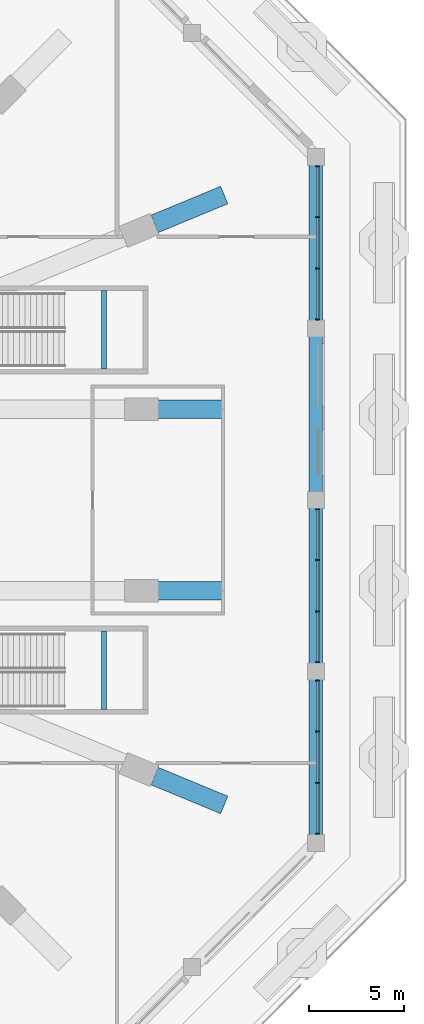
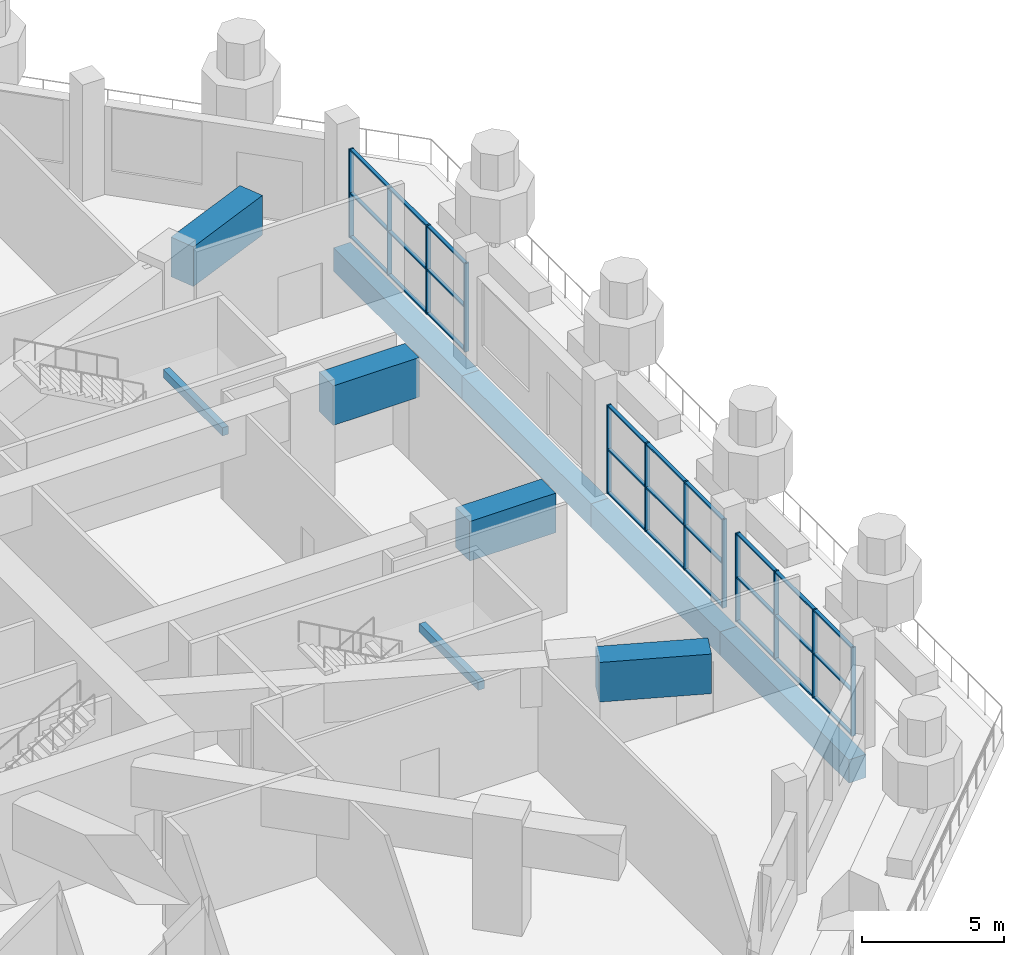
# One storey, part 8 of 25: 39 members, 10 beams, 3 elements without a shape of their own.
"""IFC4 building model written with IfcOpenShell, lengths in metres."""

from ifc_helpers import new_model, si_unit, direction, frame, origin, origin_2d, place, context, subcontext, project, spatial, rectangle, extrude, material, material_profile, profile_set, type_object, element, aggregate, save


model = new_model("IFC4")

# Units and contexts
model_context = context("Model", 3, precision=1e-05, world=origin(), true_north=direction((0.0, 1.0)))
body_context = subcontext(model_context, "Body", "Model", "MODEL_VIEW")
ifc_project = project(units=[si_unit("LENGTHUNIT", "METRE"), si_unit("AREAUNIT", "SQUARE_METRE"), si_unit("VOLUMEUNIT", "CUBIC_METRE"), si_unit("PLANEANGLEUNIT", "RADIAN"), si_unit("MASSUNIT", "GRAM", prefix="KILO")], contexts=[model_context])

# Site, building, storey
site_placement = place(None, origin())
site = spatial("IfcSite", under=ifc_project, at=site_placement, CompositionType="ELEMENT")
building_placement = place(site_placement, origin())
building = spatial("IfcBuilding", under=site, at=building_placement, Name="Msitu Wima Residences", CompositionType="ELEMENT")
storey_placement = place(building_placement, frame((0.0, 0.0, 11.0)))
storey = spatial("IfcBuildingStorey", under=building, at=storey_placement, Name="L02", CompositionType="ELEMENT", Elevation=11.0)

# Beams
ifc_material_1 = material(Name="Concrete C40/50", Category="concrete")
ifc_material_profile_1 = material_profile(ifc_material_1, rectangle(XDim=0.25, YDim=0.35009765625, at=origin_2d()), Name="RC 250x350")
ifc_profile_set_1 = profile_set([ifc_material_profile_1], Name="Concrete C40/50")
beam_type_1 = type_object("IfcBeamType", Name="Landing beam RC 250x350", PredefinedType="BEAM", material=ifc_profile_set_1)
for number, where, z_axis, x_axis, name in (
    (1, (26.60009765625, 6.925048828125, 2.125), (0.0, 1.0, 0.0), (-1.0, 0.0, 0.0), "Podium exit stair 1 landing beam"),
    (2, (26.60009765625, -6.925048828125, 2.125), (0.0, -1.0, 0.0), (1.0, 0.0, 0.0), "Podium exit stair 2 landing beam"),
):
    element("IfcBeam", number, at=place(storey_placement, frame(where, z_axis=z_axis, x_axis=x_axis)), inside=storey, type_object=beam_type_1, Name=name, PredefinedType="BEAM", context=body_context, shape_type="SweptSolid", body=[
        extrude(rectangle(XDim=0.25, YDim=0.35009765625, at=origin_2d()), origin(), (0.0, 0.0, 1.0), 4.14990234375),
    ])

# Curtain wall, members
ifc_material_2 = material(Name="Anodised aluminium, bronze finish, clear low-emissivity double glazing", Category="aluminium")
curtain_wall_type = type_object("IfcCurtainWallType", Name="Curtain wall CW6 podium winter garden", PredefinedType="NOTDEFINED", material=ifc_material_2)
curtain_wall_1_placement = place(storey_placement, origin())
curtain_wall_1 = element("IfcCurtainWall", 3, at=curtain_wall_1_placement, inside=storey, type_object=curtain_wall_type, Name="Curtain wall CW6 L02 E0", PredefinedType="NOTDEFINED")
ifc_material_3 = material(Name="Anodised aluminium, bronze finish", Category="aluminium")
ifc_material_profile_2 = material_profile(ifc_material_3, rectangle(XDim=0.179931640625, YDim=0.06494140625, at=origin_2d()), Name="Mullion 65x180")
ifc_profile_set_2 = profile_set([ifc_material_profile_2], Name="Anodised aluminium, bronze finish")
member_type_1 = type_object("IfcMemberType", Name="Mullion CW6 65x180", PredefinedType="MULLION", material=ifc_profile_set_2)
member_1_placement = place(storey_placement, frame((37.89990234375, -17.6455078125, 0.0), z_axis=(0.0, 0.0, 1.0), x_axis=(-1.0, 0.0, 0.0)))
member_1 = element("IfcMember", 4, at=member_1_placement, type_object=member_type_1, Name="CW6 mullion 1", PredefinedType="MULLION", context=body_context, shape_type="SweptSolid", body=[
    extrude(rectangle(XDim=0.179931640625, YDim=0.06494140625, at=origin_2d()), origin(), (0.0, 0.0, 1.0), 3.800048828125),
])
member_2_placement = place(storey_placement, frame((37.89990234375, -14.95654296875, 0.0), z_axis=(0.0, 0.0, 1.0), x_axis=(-1.0, 0.0, 0.0)))
member_2 = element("IfcMember", 5, at=member_2_placement, type_object=member_type_1, Name="CW6 mullion 2", PredefinedType="MULLION", context=body_context, shape_type="SweptSolid", body=[
    extrude(rectangle(XDim=0.179931640625, YDim=0.06494140625, at=origin_2d()), origin(), (0.0, 0.0, 1.0), 3.800048828125),
])
member_3_placement = place(storey_placement, frame((37.89990234375, -12.2353515625, 0.0), z_axis=(0.0, 0.0, 1.0), x_axis=(-1.0, 0.0, 0.0)))
member_3 = element("IfcMember", 6, at=member_3_placement, type_object=member_type_1, Name="CW6 mullion 3", PredefinedType="MULLION", context=body_context, shape_type="SweptSolid", body=[
    extrude(rectangle(XDim=0.179931640625, YDim=0.06494140625, at=origin_2d()), origin(), (0.0, 0.0, 1.0), 3.800048828125),
])
member_4_placement = place(storey_placement, frame((37.89990234375, -9.54638671875, 0.0), z_axis=(0.0, 0.0, 1.0), x_axis=(-1.0, 0.0, 0.0)))
member_4 = element("IfcMember", 7, at=member_4_placement, type_object=member_type_1, Name="CW6 mullion 4", PredefinedType="MULLION", context=body_context, shape_type="SweptSolid", body=[
    extrude(rectangle(XDim=0.179931640625, YDim=0.06494140625, at=origin_2d()), origin(), (0.0, 0.0, 1.0), 3.800048828125),
])

curtain_wall_2_placement = place(storey_placement, origin())
curtain_wall_2 = element("IfcCurtainWall", 8, at=curtain_wall_2_placement, inside=storey, type_object=curtain_wall_type, Name="Curtain wall CW6 L02 E1", PredefinedType="NOTDEFINED")
member_5_placement = place(storey_placement, frame((37.89990234375, -8.58154296875, 0.0), z_axis=(0.0, 0.0, 1.0), x_axis=(-1.0, 0.0, 0.0)))
member_5 = element("IfcMember", 9, at=member_5_placement, type_object=member_type_1, Name="CW6 mullion 1", PredefinedType="MULLION", context=body_context, shape_type="SweptSolid", body=[
    extrude(rectangle(XDim=0.179931640625, YDim=0.06494140625, at=origin_2d()), origin(), (0.0, 0.0, 1.0), 3.800048828125),
])
member_6_placement = place(storey_placement, frame((37.89990234375, -5.892578125, 0.0), z_axis=(0.0, 0.0, 1.0), x_axis=(-1.0, 0.0, 0.0)))
member_6 = element("IfcMember", 10, at=member_6_placement, type_object=member_type_1, Name="CW6 mullion 2", PredefinedType="MULLION", context=body_context, shape_type="SweptSolid", body=[
    extrude(rectangle(XDim=0.179931640625, YDim=0.06494140625, at=origin_2d()), origin(), (0.0, 0.0, 1.0), 3.800048828125),
])
member_7_placement = place(storey_placement, frame((37.89990234375, -3.17138671875, 0.0), z_axis=(0.0, 0.0, 1.0), x_axis=(-1.0, 0.0, 0.0)))
member_7 = element("IfcMember", 11, at=member_7_placement, type_object=member_type_1, Name="CW6 mullion 3", PredefinedType="MULLION", context=body_context, shape_type="SweptSolid", body=[
    extrude(rectangle(XDim=0.179931640625, YDim=0.06494140625, at=origin_2d()), origin(), (0.0, 0.0, 1.0), 3.800048828125),
])
member_8_placement = place(storey_placement, frame((37.89990234375, -0.482421875, 0.0), z_axis=(0.0, 0.0, 1.0), x_axis=(-1.0, 0.0, 0.0)))
member_8 = element("IfcMember", 12, at=member_8_placement, type_object=member_type_1, Name="CW6 mullion 4", PredefinedType="MULLION", context=body_context, shape_type="SweptSolid", body=[
    extrude(rectangle(XDim=0.179931640625, YDim=0.06494140625, at=origin_2d()), origin(), (0.0, 0.0, 1.0), 3.800048828125),
])

curtain_wall_3_placement = place(storey_placement, origin())
curtain_wall_3 = element("IfcCurtainWall", 13, at=curtain_wall_3_placement, inside=storey, type_object=curtain_wall_type, Name="Curtain wall CW6 L02 E3", PredefinedType="NOTDEFINED")
member_9_placement = place(storey_placement, frame((37.89990234375, 9.54638671875, 0.0), z_axis=(0.0, 0.0, 1.0), x_axis=(-1.0, 0.0, 0.0)))
member_9 = element("IfcMember", 14, at=member_9_placement, type_object=member_type_1, Name="CW6 mullion 1", PredefinedType="MULLION", context=body_context, shape_type="SweptSolid", body=[
    extrude(rectangle(XDim=0.179931640625, YDim=0.06494140625, at=origin_2d()), origin(), (0.0, 0.0, 1.0), 3.800048828125),
])
member_10_placement = place(storey_placement, frame((37.89990234375, 12.2353515625, 0.0), z_axis=(0.0, 0.0, 1.0), x_axis=(-1.0, 0.0, 0.0)))
member_10 = element("IfcMember", 15, at=member_10_placement, type_object=member_type_1, Name="CW6 mullion 2", PredefinedType="MULLION", context=body_context, shape_type="SweptSolid", body=[
    extrude(rectangle(XDim=0.179931640625, YDim=0.06494140625, at=origin_2d()), origin(), (0.0, 0.0, 1.0), 3.800048828125),
])
member_11_placement = place(storey_placement, frame((37.89990234375, 14.95654296875, 0.0), z_axis=(0.0, 0.0, 1.0), x_axis=(-1.0, 0.0, 0.0)))
member_11 = element("IfcMember", 16, at=member_11_placement, type_object=member_type_1, Name="CW6 mullion 3", PredefinedType="MULLION", context=body_context, shape_type="SweptSolid", body=[
    extrude(rectangle(XDim=0.179931640625, YDim=0.06494140625, at=origin_2d()), origin(), (0.0, 0.0, 1.0), 3.800048828125),
])
member_12_placement = place(storey_placement, frame((37.89990234375, 17.6455078125, 0.0), z_axis=(0.0, 0.0, 1.0), x_axis=(-1.0, 0.0, 0.0)))
member_12 = element("IfcMember", 17, at=member_12_placement, type_object=member_type_1, Name="CW6 mullion 4", PredefinedType="MULLION", context=body_context, shape_type="SweptSolid", body=[
    extrude(rectangle(XDim=0.179931640625, YDim=0.06494140625, at=origin_2d()), origin(), (0.0, 0.0, 1.0), 3.800048828125),
])

# Beams
ifc_material_4 = material(Name="Concrete C60/75", Category="concrete")
ifc_material_profile_3 = material_profile(ifc_material_4, rectangle(XDim=1.0, YDim=1.699951171875, at=origin_2d()), Name="RC 1000x1700")
ifc_profile_set_3 = profile_set([ifc_material_profile_3], Name="Concrete C60/75")
beam_type_2 = type_object("IfcBeamType", Name="Podium cantilever girder tip RC 1000x1700 Concrete C60/75", PredefinedType="BEAM", material=ifc_profile_set_3)
beam_1_placement = place(storey_placement, frame((29.274658203125, -14.5966796875, 3.800048828125), z_axis=(0.923893047528, -0.382650802599, 0.0), x_axis=(0.382650802599, 0.923893047528, 0.0)))
element("IfcBeam", 18, at=beam_1_placement, inside=storey, type_object=beam_type_2, Name="Podium cantilever girder L03 C-E0 cantilever", PredefinedType="BEAM", context=body_context, shape_type="SweptSolid", body=[
    extrude(rectangle(XDim=1.0, YDim=1.699951171875, at=origin_2d()), origin(), (0.0, 0.0, 1.0), 3.990234375),
])
for number, where, z_axis, x_axis, name in (
    (19, (29.462890625, -4.800048828125, 3.800048828125), (1.0, 0.0, 0.0), (0.0, 1.0, 0.0), "Podium cantilever girder L03 C-E1 cantilever"),
    (20, (29.462890625, 4.800048828125, 3.800048828125), (1.0, 0.0, 0.0), (0.0, 1.0, 0.0), "Podium cantilever girder L03 C-E2 cantilever"),
):
    element("IfcBeam", number, at=place(storey_placement, frame(where, z_axis=z_axis, x_axis=x_axis)), inside=storey, type_object=beam_type_2, Name=name, PredefinedType="BEAM", context=body_context, shape_type="SweptSolid", body=[
        extrude(rectangle(XDim=1.0, YDim=1.699951171875, at=origin_2d()), origin(), (0.0, 0.0, 1.0), 3.4990234375),
    ])
beam_2_placement = place(storey_placement, frame((29.274658203125, 14.5966796875, 3.800048828125), z_axis=(0.923893047528, 0.382650802599, 0.0), x_axis=(-0.382650802599, 0.923893047528, 0.0)))
element("IfcBeam", 21, at=beam_2_placement, inside=storey, type_object=beam_type_2, Name="Podium cantilever girder L03 C-NE0 cantilever", PredefinedType="BEAM", context=body_context, shape_type="SweptSolid", body=[
    extrude(rectangle(XDim=1.0, YDim=1.699951171875, at=origin_2d()), origin(), (0.0, 0.0, 1.0), 3.990234375),
])
ifc_material_profile_4 = material_profile(ifc_material_4, rectangle(XDim=0.699951171875, YDim=1.0, at=origin_2d()), Name="RC 700x1000")
ifc_profile_set_4 = profile_set([ifc_material_profile_4], Name="Concrete C60/75")
beam_type_3 = type_object("IfcBeamType", Name="Terrace beam RC 700x1000 Concrete C60/75", PredefinedType="BEAM", material=ifc_profile_set_4)
for number, where, z_axis, x_axis, name in (
    (22, (37.800048828125, -18.1279296875, -1.10009765625), (0.0, 1.0, 0.0), (-1.0, 0.0, 0.0), "Terrace upstand-line beam L02 C-E0"),
    (23, (37.800048828125, -9.06396484375, -1.10009765625), (0.0, 1.0, 0.0), (-1.0, 0.0, 0.0), "Terrace upstand-line beam L02 C-E1"),
    (24, (37.800048828125, 0.0, -1.10009765625), (0.0, 1.0, 0.0), (-1.0, 0.0, 0.0), "Terrace upstand-line beam L02 C-E2"),
    (25, (37.800048828125, 9.06396484375, -1.10009765625), (0.0, 1.0, 0.0), (-1.0, 0.0, 0.0), "Terrace upstand-line beam L02 C-E3"),
):
    element("IfcBeam", number, at=place(storey_placement, frame(where, z_axis=z_axis, x_axis=x_axis)), inside=storey, type_object=beam_type_3, Name=name, PredefinedType="BEAM", context=body_context, shape_type="SweptSolid", body=[
        extrude(rectangle(XDim=0.699951171875, YDim=1.0, at=origin_2d()), origin(), (0.0, 0.0, 1.0), 9.06396484375),
    ])

# Member
ifc_material_profile_5 = material_profile(ifc_material_3, rectangle(XDim=0.139892578125, YDim=0.06494140625, at=origin_2d()), Name="Transom 65x140")
ifc_profile_set_5 = profile_set([ifc_material_profile_5], Name="Anodised aluminium, bronze finish")
member_type_2 = type_object("IfcMemberType", Name="Transom CW6 65x140", PredefinedType="USERDEFINED", material=ifc_profile_set_5)
member_13_placement = place(storey_placement, frame((37.89990234375, -17.613037109375, 0.032470703125), z_axis=(0.0, 1.0, 0.0), x_axis=(-1.0, 0.0, 0.0)))
member_13 = element("IfcMember", 26, at=member_13_placement, type_object=member_type_2, Name="CW6 transom 1.1", ObjectType="TRANSOM", PredefinedType="USERDEFINED", context=body_context, shape_type="SweptSolid", body=[
    extrude(rectangle(XDim=0.139892578125, YDim=0.06494140625, at=origin_2d()), origin(), (0.0, 0.0, 1.0), 2.6240234375),
])

member_14_placement = place(storey_placement, frame((37.89990234375, -17.613037109375, 1.89990234375), z_axis=(0.0, 1.0, 0.0), x_axis=(-1.0, 0.0, 0.0)))
member_14 = element("IfcMember", 27, at=member_14_placement, type_object=member_type_2, Name="CW6 transom 1.2", ObjectType="TRANSOM", PredefinedType="USERDEFINED", context=body_context, shape_type="SweptSolid", body=[
    extrude(rectangle(XDim=0.139892578125, YDim=0.06494140625, at=origin_2d()), origin(), (0.0, 0.0, 1.0), 2.6240234375),
])

member_15_placement = place(storey_placement, frame((37.89990234375, -17.613037109375, 3.767578125), z_axis=(0.0, 1.0, 0.0), x_axis=(-1.0, 0.0, 0.0)))
member_15 = element("IfcMember", 28, at=member_15_placement, type_object=member_type_2, Name="CW6 transom 1.3", ObjectType="TRANSOM", PredefinedType="USERDEFINED", context=body_context, shape_type="SweptSolid", body=[
    extrude(rectangle(XDim=0.139892578125, YDim=0.06494140625, at=origin_2d()), origin(), (0.0, 0.0, 1.0), 2.6240234375),
])

member_16_placement = place(storey_placement, frame((37.89990234375, -14.924072265625, 0.032470703125), z_axis=(0.0, 1.0, 0.0), x_axis=(-1.0, 0.0, 0.0)))
member_16 = element("IfcMember", 29, at=member_16_placement, type_object=member_type_2, Name="CW6 transom 2.1", ObjectType="TRANSOM", PredefinedType="USERDEFINED", context=body_context, shape_type="SweptSolid", body=[
    extrude(rectangle(XDim=0.139892578125, YDim=0.06494140625, at=origin_2d()), origin(), (0.0, 0.0, 1.0), 2.65625),
])

member_17_placement = place(storey_placement, frame((37.89990234375, -14.924072265625, 1.89990234375), z_axis=(0.0, 1.0, 0.0), x_axis=(-1.0, 0.0, 0.0)))
member_17 = element("IfcMember", 30, at=member_17_placement, type_object=member_type_2, Name="CW6 transom 2.2", ObjectType="TRANSOM", PredefinedType="USERDEFINED", context=body_context, shape_type="SweptSolid", body=[
    extrude(rectangle(XDim=0.139892578125, YDim=0.06494140625, at=origin_2d()), origin(), (0.0, 0.0, 1.0), 2.65625),
])

member_18_placement = place(storey_placement, frame((37.89990234375, -14.924072265625, 3.767578125), z_axis=(0.0, 1.0, 0.0), x_axis=(-1.0, 0.0, 0.0)))
member_18 = element("IfcMember", 31, at=member_18_placement, type_object=member_type_2, Name="CW6 transom 2.3", ObjectType="TRANSOM", PredefinedType="USERDEFINED", context=body_context, shape_type="SweptSolid", body=[
    extrude(rectangle(XDim=0.139892578125, YDim=0.06494140625, at=origin_2d()), origin(), (0.0, 0.0, 1.0), 2.65625),
])

member_19_placement = place(storey_placement, frame((37.89990234375, -12.202880859375, 0.032470703125), z_axis=(0.0, 1.0, 0.0), x_axis=(-1.0, 0.0, 0.0)))
member_19 = element("IfcMember", 32, at=member_19_placement, type_object=member_type_2, Name="CW6 transom 3.1", ObjectType="TRANSOM", PredefinedType="USERDEFINED", context=body_context, shape_type="SweptSolid", body=[
    extrude(rectangle(XDim=0.139892578125, YDim=0.06494140625, at=origin_2d()), origin(), (0.0, 0.0, 1.0), 2.6240234375),
])

member_20_placement = place(storey_placement, frame((37.89990234375, -12.202880859375, 1.89990234375), z_axis=(0.0, 1.0, 0.0), x_axis=(-1.0, 0.0, 0.0)))
member_20 = element("IfcMember", 33, at=member_20_placement, type_object=member_type_2, Name="CW6 transom 3.2", ObjectType="TRANSOM", PredefinedType="USERDEFINED", context=body_context, shape_type="SweptSolid", body=[
    extrude(rectangle(XDim=0.139892578125, YDim=0.06494140625, at=origin_2d()), origin(), (0.0, 0.0, 1.0), 2.6240234375),
])

member_21_placement = place(storey_placement, frame((37.89990234375, -12.202880859375, 3.767578125), z_axis=(0.0, 1.0, 0.0), x_axis=(-1.0, 0.0, 0.0)))
member_21 = element("IfcMember", 34, at=member_21_placement, type_object=member_type_2, Name="CW6 transom 3.3", ObjectType="TRANSOM", PredefinedType="USERDEFINED", context=body_context, shape_type="SweptSolid", body=[
    extrude(rectangle(XDim=0.139892578125, YDim=0.06494140625, at=origin_2d()), origin(), (0.0, 0.0, 1.0), 2.6240234375),
])

aggregate(curtain_wall_1, [member_1, member_2, member_3, member_4, member_13, member_14, member_15, member_16, member_17, member_18, member_19, member_20, member_21])

member_22_placement = place(storey_placement, frame((37.89990234375, -8.549072265625, 0.032470703125), z_axis=(0.0, 1.0, 0.0), x_axis=(-1.0, 0.0, 0.0)))
member_22 = element("IfcMember", 35, at=member_22_placement, type_object=member_type_2, Name="CW6 transom 1.1", ObjectType="TRANSOM", PredefinedType="USERDEFINED", context=body_context, shape_type="SweptSolid", body=[
    extrude(rectangle(XDim=0.139892578125, YDim=0.06494140625, at=origin_2d()), origin(), (0.0, 0.0, 1.0), 2.6240234375),
])

member_23_placement = place(storey_placement, frame((37.89990234375, -8.549072265625, 1.89990234375), z_axis=(0.0, 1.0, 0.0), x_axis=(-1.0, 0.0, 0.0)))
member_23 = element("IfcMember", 36, at=member_23_placement, type_object=member_type_2, Name="CW6 transom 1.2", ObjectType="TRANSOM", PredefinedType="USERDEFINED", context=body_context, shape_type="SweptSolid", body=[
    extrude(rectangle(XDim=0.139892578125, YDim=0.06494140625, at=origin_2d()), origin(), (0.0, 0.0, 1.0), 2.6240234375),
])

member_24_placement = place(storey_placement, frame((37.89990234375, -8.549072265625, 3.767578125), z_axis=(0.0, 1.0, 0.0), x_axis=(-1.0, 0.0, 0.0)))
member_24 = element("IfcMember", 37, at=member_24_placement, type_object=member_type_2, Name="CW6 transom 1.3", ObjectType="TRANSOM", PredefinedType="USERDEFINED", context=body_context, shape_type="SweptSolid", body=[
    extrude(rectangle(XDim=0.139892578125, YDim=0.06494140625, at=origin_2d()), origin(), (0.0, 0.0, 1.0), 2.6240234375),
])

member_25_placement = place(storey_placement, frame((37.89990234375, -5.860107421875, 0.032470703125), z_axis=(0.0, 1.0, 0.0), x_axis=(-1.0, 0.0, 0.0)))
member_25 = element("IfcMember", 38, at=member_25_placement, type_object=member_type_2, Name="CW6 transom 2.1", ObjectType="TRANSOM", PredefinedType="USERDEFINED", context=body_context, shape_type="SweptSolid", body=[
    extrude(rectangle(XDim=0.139892578125, YDim=0.06494140625, at=origin_2d()), origin(), (0.0, 0.0, 1.0), 2.65625),
])

member_26_placement = place(storey_placement, frame((37.89990234375, -5.860107421875, 1.89990234375), z_axis=(0.0, 1.0, 0.0), x_axis=(-1.0, 0.0, 0.0)))
member_26 = element("IfcMember", 39, at=member_26_placement, type_object=member_type_2, Name="CW6 transom 2.2", ObjectType="TRANSOM", PredefinedType="USERDEFINED", context=body_context, shape_type="SweptSolid", body=[
    extrude(rectangle(XDim=0.139892578125, YDim=0.06494140625, at=origin_2d()), origin(), (0.0, 0.0, 1.0), 2.65625),
])

member_27_placement = place(storey_placement, frame((37.89990234375, -5.860107421875, 3.767578125), z_axis=(0.0, 1.0, 0.0), x_axis=(-1.0, 0.0, 0.0)))
member_27 = element("IfcMember", 40, at=member_27_placement, type_object=member_type_2, Name="CW6 transom 2.3", ObjectType="TRANSOM", PredefinedType="USERDEFINED", context=body_context, shape_type="SweptSolid", body=[
    extrude(rectangle(XDim=0.139892578125, YDim=0.06494140625, at=origin_2d()), origin(), (0.0, 0.0, 1.0), 2.65625),
])

member_28_placement = place(storey_placement, frame((37.89990234375, -3.138916015625, 0.032470703125), z_axis=(0.0, 1.0, 0.0), x_axis=(-1.0, 0.0, 0.0)))
member_28 = element("IfcMember", 41, at=member_28_placement, type_object=member_type_2, Name="CW6 transom 3.1", ObjectType="TRANSOM", PredefinedType="USERDEFINED", context=body_context, shape_type="SweptSolid", body=[
    extrude(rectangle(XDim=0.139892578125, YDim=0.06494140625, at=origin_2d()), origin(), (0.0, 0.0, 1.0), 2.6240234375),
])

member_29_placement = place(storey_placement, frame((37.89990234375, -3.138916015625, 1.89990234375), z_axis=(0.0, 1.0, 0.0), x_axis=(-1.0, 0.0, 0.0)))
member_29 = element("IfcMember", 42, at=member_29_placement, type_object=member_type_2, Name="CW6 transom 3.2", ObjectType="TRANSOM", PredefinedType="USERDEFINED", context=body_context, shape_type="SweptSolid", body=[
    extrude(rectangle(XDim=0.139892578125, YDim=0.06494140625, at=origin_2d()), origin(), (0.0, 0.0, 1.0), 2.6240234375),
])

member_30_placement = place(storey_placement, frame((37.89990234375, -3.138916015625, 3.767578125), z_axis=(0.0, 1.0, 0.0), x_axis=(-1.0, 0.0, 0.0)))
member_30 = element("IfcMember", 43, at=member_30_placement, type_object=member_type_2, Name="CW6 transom 3.3", ObjectType="TRANSOM", PredefinedType="USERDEFINED", context=body_context, shape_type="SweptSolid", body=[
    extrude(rectangle(XDim=0.139892578125, YDim=0.06494140625, at=origin_2d()), origin(), (0.0, 0.0, 1.0), 2.6240234375),
])

aggregate(curtain_wall_2, [member_5, member_6, member_7, member_8, member_22, member_23, member_24, member_25, member_26, member_27, member_28, member_29, member_30])

member_31_placement = place(storey_placement, frame((37.89990234375, 9.578857421875, 0.032470703125), z_axis=(0.0, 1.0, 0.0), x_axis=(-1.0, 0.0, 0.0)))
member_31 = element("IfcMember", 44, at=member_31_placement, type_object=member_type_2, Name="CW6 transom 1.1", ObjectType="TRANSOM", PredefinedType="USERDEFINED", context=body_context, shape_type="SweptSolid", body=[
    extrude(rectangle(XDim=0.139892578125, YDim=0.06494140625, at=origin_2d()), origin(), (0.0, 0.0, 1.0), 2.6240234375),
])

member_32_placement = place(storey_placement, frame((37.89990234375, 9.578857421875, 1.89990234375), z_axis=(0.0, 1.0, 0.0), x_axis=(-1.0, 0.0, 0.0)))
member_32 = element("IfcMember", 45, at=member_32_placement, type_object=member_type_2, Name="CW6 transom 1.2", ObjectType="TRANSOM", PredefinedType="USERDEFINED", context=body_context, shape_type="SweptSolid", body=[
    extrude(rectangle(XDim=0.139892578125, YDim=0.06494140625, at=origin_2d()), origin(), (0.0, 0.0, 1.0), 2.6240234375),
])

member_33_placement = place(storey_placement, frame((37.89990234375, 9.578857421875, 3.767578125), z_axis=(0.0, 1.0, 0.0), x_axis=(-1.0, 0.0, 0.0)))
member_33 = element("IfcMember", 46, at=member_33_placement, type_object=member_type_2, Name="CW6 transom 1.3", ObjectType="TRANSOM", PredefinedType="USERDEFINED", context=body_context, shape_type="SweptSolid", body=[
    extrude(rectangle(XDim=0.139892578125, YDim=0.06494140625, at=origin_2d()), origin(), (0.0, 0.0, 1.0), 2.6240234375),
])

member_34_placement = place(storey_placement, frame((37.89990234375, 12.267822265625, 0.032470703125), z_axis=(0.0, 1.0, 0.0), x_axis=(-1.0, 0.0, 0.0)))
member_34 = element("IfcMember", 47, at=member_34_placement, type_object=member_type_2, Name="CW6 transom 2.1", ObjectType="TRANSOM", PredefinedType="USERDEFINED", context=body_context, shape_type="SweptSolid", body=[
    extrude(rectangle(XDim=0.139892578125, YDim=0.06494140625, at=origin_2d()), origin(), (0.0, 0.0, 1.0), 2.65625),
])

member_35_placement = place(storey_placement, frame((37.89990234375, 12.267822265625, 1.89990234375), z_axis=(0.0, 1.0, 0.0), x_axis=(-1.0, 0.0, 0.0)))
member_35 = element("IfcMember", 48, at=member_35_placement, type_object=member_type_2, Name="CW6 transom 2.2", ObjectType="TRANSOM", PredefinedType="USERDEFINED", context=body_context, shape_type="SweptSolid", body=[
    extrude(rectangle(XDim=0.139892578125, YDim=0.06494140625, at=origin_2d()), origin(), (0.0, 0.0, 1.0), 2.65625),
])

member_36_placement = place(storey_placement, frame((37.89990234375, 12.267822265625, 3.767578125), z_axis=(0.0, 1.0, 0.0), x_axis=(-1.0, 0.0, 0.0)))
member_36 = element("IfcMember", 49, at=member_36_placement, type_object=member_type_2, Name="CW6 transom 2.3", ObjectType="TRANSOM", PredefinedType="USERDEFINED", context=body_context, shape_type="SweptSolid", body=[
    extrude(rectangle(XDim=0.139892578125, YDim=0.06494140625, at=origin_2d()), origin(), (0.0, 0.0, 1.0), 2.65625),
])

member_37_placement = place(storey_placement, frame((37.89990234375, 14.989013671875, 0.032470703125), z_axis=(0.0, 1.0, 0.0), x_axis=(-1.0, 0.0, 0.0)))
member_37 = element("IfcMember", 50, at=member_37_placement, type_object=member_type_2, Name="CW6 transom 3.1", ObjectType="TRANSOM", PredefinedType="USERDEFINED", context=body_context, shape_type="SweptSolid", body=[
    extrude(rectangle(XDim=0.139892578125, YDim=0.06494140625, at=origin_2d()), origin(), (0.0, 0.0, 1.0), 2.6240234375),
])

member_38_placement = place(storey_placement, frame((37.89990234375, 14.989013671875, 1.89990234375), z_axis=(0.0, 1.0, 0.0), x_axis=(-1.0, 0.0, 0.0)))
member_38 = element("IfcMember", 51, at=member_38_placement, type_object=member_type_2, Name="CW6 transom 3.2", ObjectType="TRANSOM", PredefinedType="USERDEFINED", context=body_context, shape_type="SweptSolid", body=[
    extrude(rectangle(XDim=0.139892578125, YDim=0.06494140625, at=origin_2d()), origin(), (0.0, 0.0, 1.0), 2.6240234375),
])

member_39_placement = place(storey_placement, frame((37.89990234375, 14.989013671875, 3.767578125), z_axis=(0.0, 1.0, 0.0), x_axis=(-1.0, 0.0, 0.0)))
member_39 = element("IfcMember", 52, at=member_39_placement, type_object=member_type_2, Name="CW6 transom 3.3", ObjectType="TRANSOM", PredefinedType="USERDEFINED", context=body_context, shape_type="SweptSolid", body=[
    extrude(rectangle(XDim=0.139892578125, YDim=0.06494140625, at=origin_2d()), origin(), (0.0, 0.0, 1.0), 2.6240234375),
])

aggregate(curtain_wall_3, [member_9, member_10, member_11, member_12, member_31, member_32, member_33, member_34, member_35, member_36, member_37, member_38, member_39])

save(model, "model.ifc")
